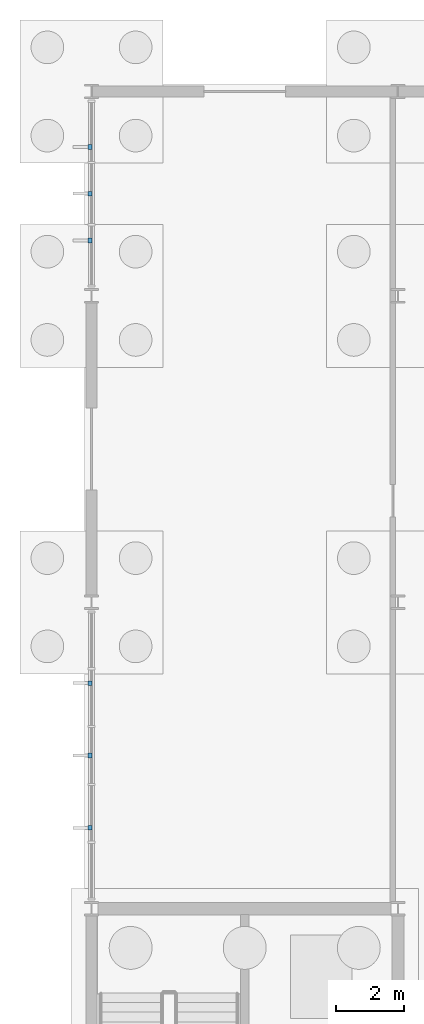
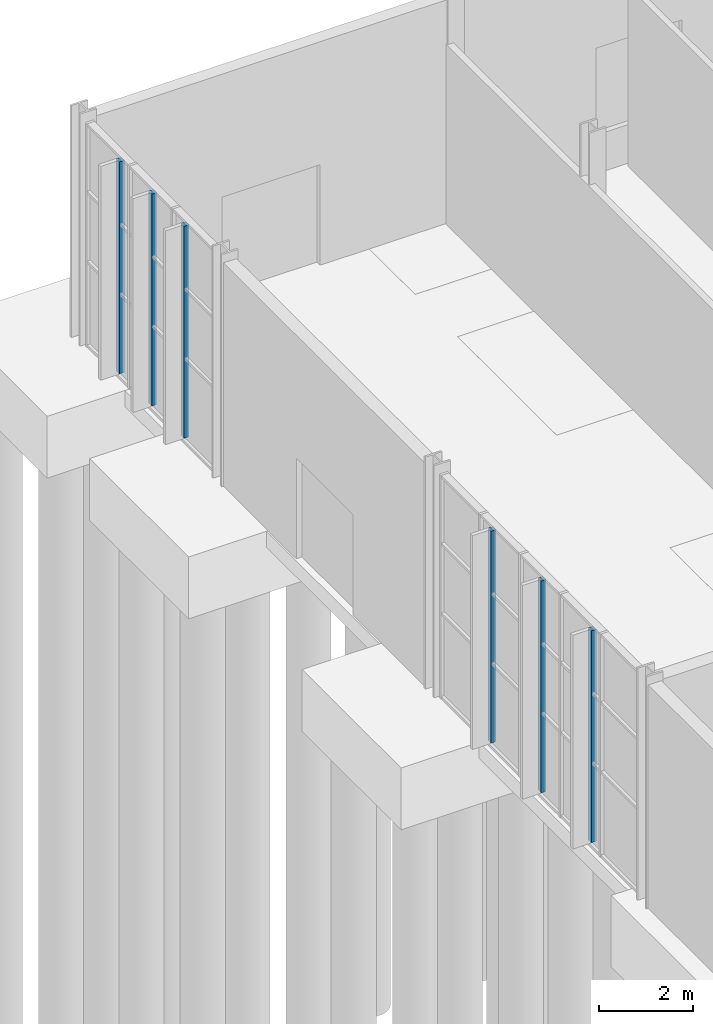
# One storey, part 113 of 131: 6 discrete accessories.
"""IFC4 building model written with IfcOpenShell, lengths in metres."""

from ifc_helpers import new_model, si_unit, direction, frame, origin, origin_2d, place, context, subcontext, project, spatial, rectangle, extrude, material, type_object, element, save


model = new_model("IFC4")

# Units and contexts
model_context = context("Model", 3, precision=1e-05, world=origin(), true_north=direction((0.0, 1.0)))
body_context = subcontext(model_context, "Body", "Model", "MODEL_VIEW")
ifc_project = project(units=[si_unit("LENGTHUNIT", "METRE"), si_unit("AREAUNIT", "SQUARE_METRE"), si_unit("VOLUMEUNIT", "CUBIC_METRE"), si_unit("PLANEANGLEUNIT", "RADIAN"), si_unit("MASSUNIT", "GRAM", prefix="KILO")], contexts=[model_context])

# Site, building, storey
site_placement = place(None, origin())
site = spatial("IfcSite", under=ifc_project, at=site_placement, CompositionType="ELEMENT")
building_placement = place(site_placement, origin())
building = spatial("IfcBuilding", under=site, at=building_placement, Name="Cazmaro Siding Exhibition Halls", CompositionType="ELEMENT")
storey_placement = place(building_placement, origin())
storey = spatial("IfcBuildingStorey", under=building, at=storey_placement, Name="L00", CompositionType="ELEMENT", Elevation=0.0)

# Discrete accessories
ifc_material = material(Name="Steel ASTM A572 Grade 50", Category="steel")
discrete_accessory_type = type_object("IfcDiscreteAccessoryType", Name="SBK-01", PredefinedType="BRACKET", material=ifc_material)
for number, where, z_axis, x_axis, name in (
    (1, (-0.0400390625, 102.3759765625, 0.14990234375), (0.0, 0.0, 1.0), (1.0, 0.0, 0.0), "Solar Fin Steel Support Bracket SBK-01 007"),
    (2, (-0.0400390625, 104.5, 0.14990234375), (0.0, 0.0, 1.0), (1.0, 0.0, 0.0), "Solar Fin Steel Support Bracket SBK-01 008"),
    (3, (-0.0400390625, 106.6240234375, 0.14990234375), (0.0, 0.0, 1.0), (1.0, 0.0, 0.0), "Solar Fin Steel Support Bracket SBK-01 009"),
    (4, (-0.0400390625, 119.6259765625, 0.14990234375), (0.0, 0.0, 1.0), (1.0, 0.0, 0.0), "Solar Fin Steel Support Bracket SBK-01 010"),
    (5, (-0.0400390625, 121.0, 0.14990234375), (0.0, 0.0, 1.0), (1.0, 0.0, 0.0), "Solar Fin Steel Support Bracket SBK-01 011"),
    (6, (-0.0400390625, 122.3740234375, 0.14990234375), (0.0, 0.0, 1.0), (1.0, 0.0, 0.0), "Solar Fin Steel Support Bracket SBK-01 012"),
):
    element("IfcDiscreteAccessory", number, at=place(storey_placement, frame(where, z_axis=z_axis, x_axis=x_axis)), inside=storey, type_object=discrete_accessory_type, Name=name, PredefinedType="BRACKET", context=body_context, shape_type="SweptSolid", body=[
        extrude(rectangle(XDim=0.1201171875, YDim=0.139892578125, at=origin_2d()), origin(), (0.0, 0.0, 1.0), 5.47998046875),
    ])

save(model, "model.ifc")
